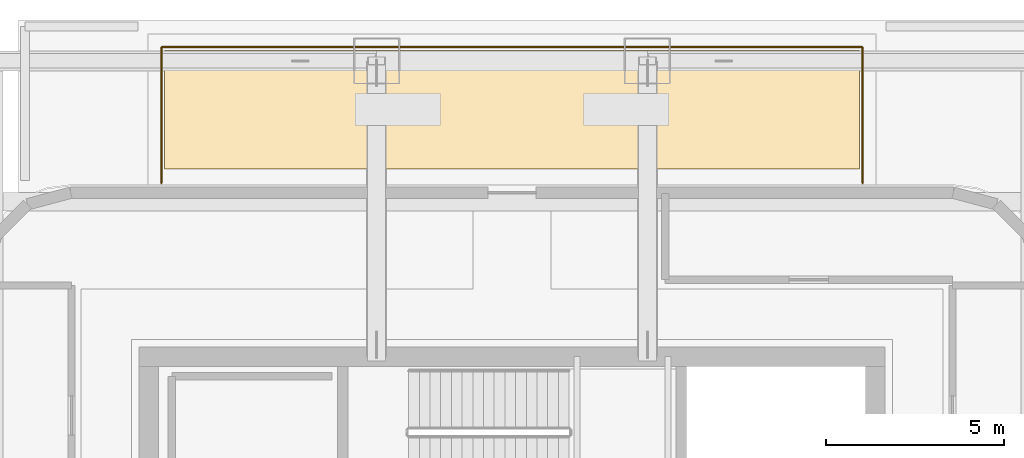
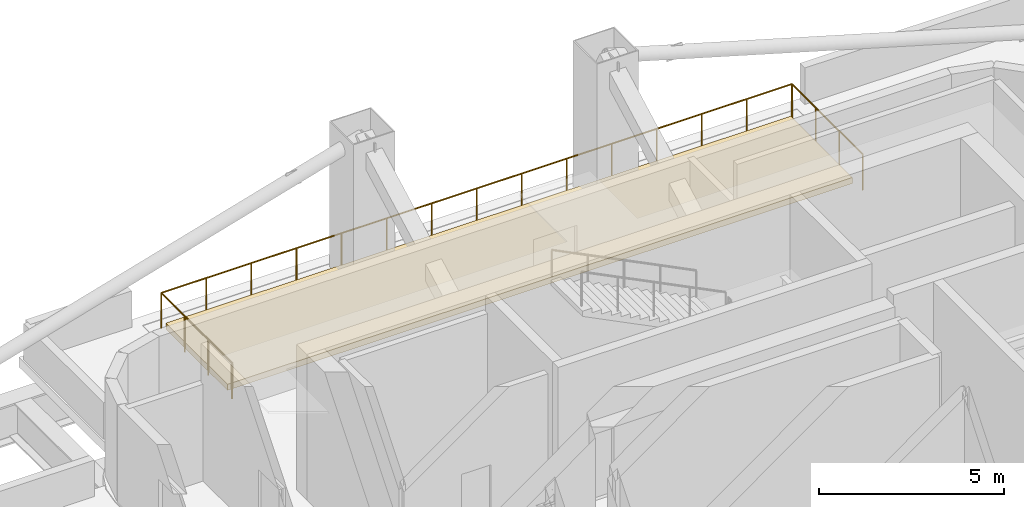
# One storey, part 11 of 11: 1 covering, 1 railing.
"""IFC4 building model written with IfcOpenShell, lengths in metres."""

from ifc_helpers import new_model, si_unit, direction, frame, origin, origin_2d, place, context, subcontext, project, spatial, polyline, circle, outline, extrude, material, layer, layer_set, type_object, element, save


model = new_model("IFC4")

# Units and contexts
model_context = context("Model", 3, precision=1e-05, world=origin(), true_north=direction((0.0, 1.0)))
body_context = subcontext(model_context, "Body", "Model", "MODEL_VIEW")
ifc_project = project(units=[si_unit("LENGTHUNIT", "METRE"), si_unit("AREAUNIT", "SQUARE_METRE"), si_unit("VOLUMEUNIT", "CUBIC_METRE"), si_unit("PLANEANGLEUNIT", "RADIAN"), si_unit("MASSUNIT", "GRAM", prefix="KILO")], contexts=[model_context])

# Site, building, storey
site_placement = place(None, origin())
site = spatial("IfcSite", under=ifc_project, at=site_placement, CompositionType="ELEMENT")
building_placement = place(site_placement, origin())
building = spatial("IfcBuilding", under=site, at=building_placement, Name="Punatoya Terracotta Tower", CompositionType="ELEMENT")
storey_placement = place(building_placement, frame((0.0, 0.0, 237.0)))
storey = spatial("IfcBuildingStorey", under=building, at=storey_placement, Name="L56", CompositionType="ELEMENT", Elevation=237.0)

# Covering
ifc_material_1 = material(Name="Green Roof Planting Soil Medium")
ifc_layer = layer(ifc_material_1, 0.35009765625)
ifc_layer_set = layer_set([ifc_layer], Name="Green Roof Planting Soil Medium")
covering_type = type_object("IfcCoveringType", Name="COV-TER-350", PredefinedType="ROOFING", material=ifc_layer_set)
covering_placement = place(storey_placement, origin())
element("IfcCovering", 1, at=covering_placement, inside=storey, type_object=covering_type, Name="L56 L56 Hover-Neck Sky Garden Terrace Planted Soil Bed", PredefinedType="ROOFING", context=body_context, shape_type="SweptSolid", body=[
    extrude(outline(polyline([(-9.75, 17.800048828125), (-9.75, 14.469970703125), (9.75, 14.469970703125), (9.75, 17.800048828125), (-9.75, 17.800048828125)])), origin(), (0.0, 0.0, 1.0), 0.199951171875),
])

# Railing
ifc_material_2 = material(Name="Steel S355", Category="steel")
railing_type = type_object("IfcRailingType", Name="RLG-BAL-1200", PredefinedType="BALUSTRADE", material=ifc_material_2)
railing_placement = place(storey_placement, frame((-9.840087890625, 14.070068359375, 0.0)))
element("IfcRailing", 2, at=railing_placement, inside=storey, type_object=railing_type, Name="L56 L56 Hover-Neck Sky Garden Terrace Guardrail", PredefinedType="BALUSTRADE", context=body_context, shape_type="SweptSolid", body=[
    extrude(circle(Radius=0.02392578125, at=origin_2d()), frame((0.0, 0.0, 1.17578125), z_axis=(0.0, 1.0, 0.0), x_axis=(-1.0, 0.0, 0.0)), (0.0, 0.0, 1.0), 3.81982421875),
    extrude(circle(Radius=0.02392578125, at=origin_2d()), frame((0.0, 3.81982421875, 1.17578125), z_axis=(1.0, 0.0, 0.0), x_axis=(0.0, 1.0, 0.0)), (0.0, 0.0, 1.0), 19.68017578125),
    extrude(circle(Radius=0.02392578125, at=origin_2d()), frame((19.68017578125, 3.81982421875, 1.17578125), z_axis=(0.0, -1.0, 0.0), x_axis=(1.0, 0.0, 0.0)), (0.0, 0.0, 1.0), 3.81982421875),
    extrude(circle(Radius=0.02099609375, at=origin_2d()), origin(), (0.0, 0.0, 1.0), 1.15185546875),
    extrude(circle(Radius=0.02099609375, at=origin_2d()), frame((0.0, 1.273193359375, 0.0)), (0.0, 0.0, 1.0), 1.15185546875),
    extrude(circle(Radius=0.02099609375, at=origin_2d()), frame((0.0, 2.546630859375, 0.0)), (0.0, 0.0, 1.0), 1.15185546875),
    extrude(circle(Radius=0.02099609375, at=origin_2d()), frame((0.0, 3.81982421875, 0.0)), (0.0, 0.0, 1.0), 1.15185546875),
    extrude(circle(Radius=0.02099609375, at=origin_2d()), frame((1.40576171875, 3.81982421875, 0.0)), (0.0, 0.0, 1.0), 1.15185546875),
    extrude(circle(Radius=0.02099609375, at=origin_2d()), frame((2.8115234375, 3.81982421875, 0.0)), (0.0, 0.0, 1.0), 1.15185546875),
    extrude(circle(Radius=0.02099609375, at=origin_2d()), frame((4.21728515625, 3.81982421875, 0.0)), (0.0, 0.0, 1.0), 1.15185546875),
    extrude(circle(Radius=0.02099609375, at=origin_2d()), frame((5.622802734375, 3.81982421875, 0.0)), (0.0, 0.0, 1.0), 1.15185546875),
    extrude(circle(Radius=0.02099609375, at=origin_2d()), frame((7.028564453125, 3.81982421875, 0.0)), (0.0, 0.0, 1.0), 1.15185546875),
    extrude(circle(Radius=0.02099609375, at=origin_2d()), frame((8.434326171875, 3.81982421875, 0.0)), (0.0, 0.0, 1.0), 1.15185546875),
    extrude(circle(Radius=0.02099609375, at=origin_2d()), frame((9.840087890625, 3.81982421875, 0.0)), (0.0, 0.0, 1.0), 1.15185546875),
    extrude(circle(Radius=0.02099609375, at=origin_2d()), frame((11.245849609375, 3.81982421875, 0.0)), (0.0, 0.0, 1.0), 1.15185546875),
    extrude(circle(Radius=0.02099609375, at=origin_2d()), frame((12.651611328125, 3.81982421875, 0.0)), (0.0, 0.0, 1.0), 1.15185546875),
    extrude(circle(Radius=0.02099609375, at=origin_2d()), frame((14.057373046875, 3.81982421875, 0.0)), (0.0, 0.0, 1.0), 1.15185546875),
    extrude(circle(Radius=0.02099609375, at=origin_2d()), frame((15.462890625, 3.81982421875, 0.0)), (0.0, 0.0, 1.0), 1.15185546875),
    extrude(circle(Radius=0.02099609375, at=origin_2d()), frame((16.86865234375, 3.81982421875, 0.0)), (0.0, 0.0, 1.0), 1.15185546875),
    extrude(circle(Radius=0.02099609375, at=origin_2d()), frame((18.2744140625, 3.81982421875, 0.0)), (0.0, 0.0, 1.0), 1.15185546875),
    extrude(circle(Radius=0.02099609375, at=origin_2d()), frame((19.68017578125, 3.81982421875, 0.0)), (0.0, 0.0, 1.0), 1.15185546875),
    extrude(circle(Radius=0.02099609375, at=origin_2d()), frame((19.68017578125, 2.546630859375, 0.0)), (0.0, 0.0, 1.0), 1.15185546875),
    extrude(circle(Radius=0.02099609375, at=origin_2d()), frame((19.68017578125, 1.273193359375, 0.0)), (0.0, 0.0, 1.0), 1.15185546875),
    extrude(circle(Radius=0.02099609375, at=origin_2d()), frame((19.68017578125, 0.0, 0.0)), (0.0, 0.0, 1.0), 1.15185546875),
])

save(model, "model.ifc")
